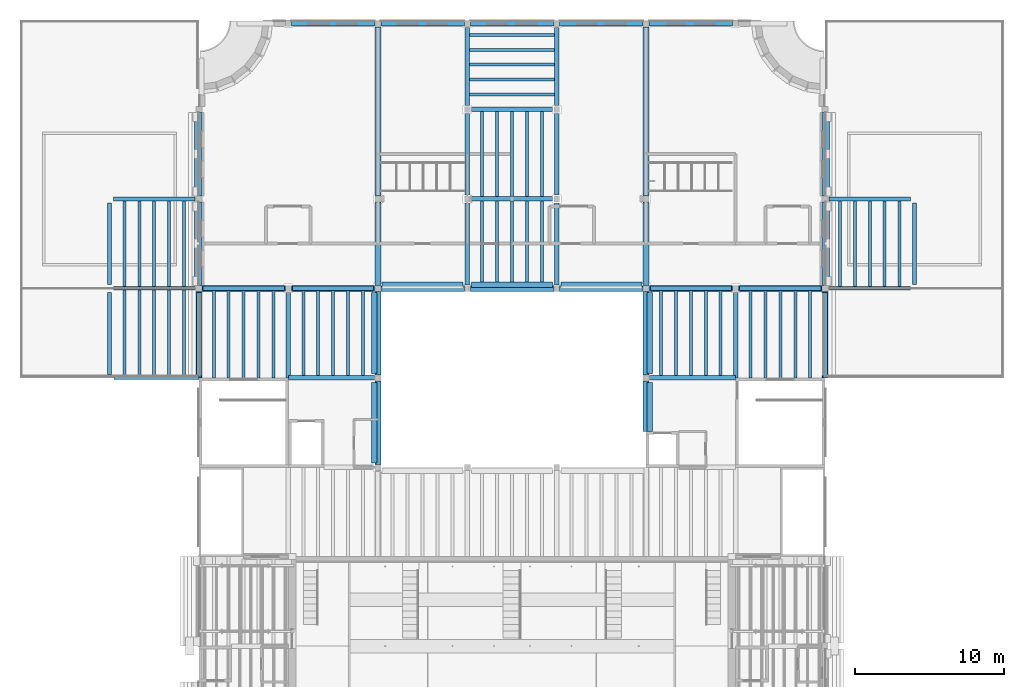
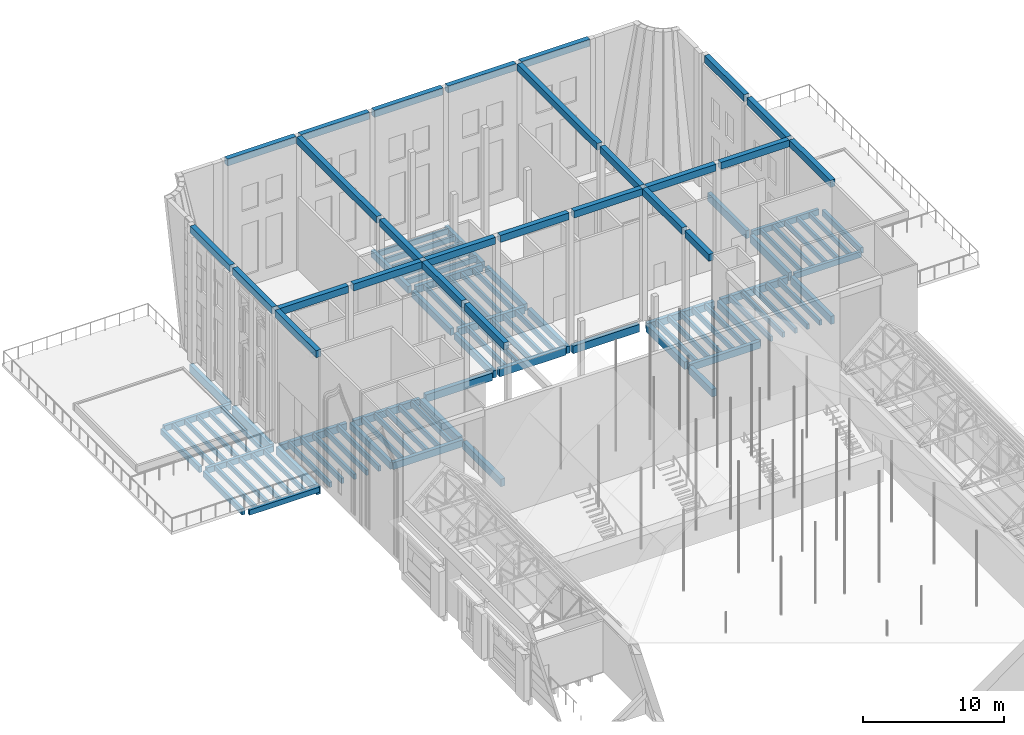
# One storey, part 47 of 118: 113 beams.
"""IFC4 building model written with IfcOpenShell, lengths in metres."""

from ifc_helpers import new_model, si_unit, direction, frame, origin, origin_2d, place, context, subcontext, project, spatial, rectangle, extrude, material, material_profile, profile_set, type_object, element, save


model = new_model("IFC4")

# Units and contexts
model_context = context("Model", 3, precision=1e-05, world=origin(), true_north=direction((0.0, 1.0)))
body_context = subcontext(model_context, "Body", "Model", "MODEL_VIEW")
ifc_project = project(units=[si_unit("LENGTHUNIT", "METRE"), si_unit("AREAUNIT", "SQUARE_METRE"), si_unit("VOLUMEUNIT", "CUBIC_METRE"), si_unit("PLANEANGLEUNIT", "RADIAN"), si_unit("MASSUNIT", "GRAM", prefix="KILO")], contexts=[model_context])

# Site, building, storey
site_placement = place(None, origin())
site = spatial("IfcSite", under=ifc_project, at=site_placement, CompositionType="ELEMENT")
building_placement = place(site_placement, origin())
building = spatial("IfcBuilding", under=site, at=building_placement, Name="Saffron Lane Theatres", CompositionType="ELEMENT")
storey_placement = place(building_placement, frame((0.0, 0.0, 16.5)))
storey = spatial("IfcBuildingStorey", under=building, at=storey_placement, Name="L03", CompositionType="ELEMENT", Elevation=16.5)

# Beams
ifc_material_1 = material(Name="Concrete N40 (40 MPa)", Category="concrete")
ifc_material_profile_1 = material_profile(ifc_material_1, rectangle(XDim=0.25, YDim=0.449951171875, at=origin_2d()))
ifc_profile_set_1 = profile_set([ifc_material_profile_1], Name="Concrete N40 (40 MPa)")
beam_type_1 = type_object("IfcBeamType", Name="RC-BEAM 250x450", PredefinedType="BEAM", material=ifc_profile_set_1)
beam_1_placement = place(storey_placement, frame((6.300048828125, 102.0, -0.47509765625), z_axis=(1.0, 0.0, 0.0), x_axis=(0.0, 1.0, 0.0)))
element("IfcBeam", 1, at=beam_1_placement, inside=storey, type_object=beam_type_1, Name="beam-roof-wing-w-x1020-63", PredefinedType="BEAM", context=body_context, shape_type="SweptSolid", body=[
    extrude(rectangle(XDim=0.25, YDim=0.449951171875, at=origin_2d()), origin(), (0.0, 0.0, 1.0), 5.699951171875),
])
ifc_material_2 = material(Name="Concrete N40 (40 MPa)", Category="concrete")
ifc_material_profile_2 = material_profile(ifc_material_2, rectangle(XDim=0.25, YDim=0.5, at=origin_2d()))
ifc_profile_set_2 = profile_set([ifc_material_profile_2], Name="Concrete N40 (40 MPa)")
beam_type_2 = type_object("IfcBeamType", Name="RC-BEAM 250x500", PredefinedType="BEAM", material=ifc_profile_set_2)
for number, where, z_axis, x_axis, name in (
    (2, (6.27490234375, 108.0, -0.5), (1.0, 0.0, 0.0), (0.0, 1.0, 0.0), "beam-roof-wing-w-x1080-63"),
    (3, (6.27490234375, 114.0, -0.5), (1.0, 0.0, 0.0), (0.0, 1.0, 0.0), "beam-roof-wing-w-x1140-63"),
):
    element("IfcBeam", number, at=place(storey_placement, frame(where, z_axis=z_axis, x_axis=x_axis)), inside=storey, type_object=beam_type_2, Name=name, PredefinedType="BEAM", context=body_context, shape_type="SweptSolid", body=[
        extrude(rectangle(XDim=0.25, YDim=0.5, at=origin_2d()), origin(), (0.0, 0.0, 1.0), 5.4501953125),
    ])
beam_2_placement = place(storey_placement, frame((6.0, 102.22509765625, -0.5), z_axis=(0.0, 1.0, 0.0), x_axis=(-1.0, 0.0, 0.0)))
element("IfcBeam", 4, at=beam_2_placement, inside=storey, type_object=beam_type_2, Name="beam-roof-wing-w-y60-1022", PredefinedType="BEAM", context=body_context, shape_type="SweptSolid", body=[
    extrude(rectangle(XDim=0.25, YDim=0.5, at=origin_2d()), origin(), (0.0, 0.0, 1.0), 5.5),
])
for number, where, z_axis, x_axis, name in (
    (5, (6.0, 108.27490234375, -0.5), (0.0, 1.0, 0.0), (-1.0, 0.0, 0.0), "beam-roof-wing-w-y60-1083"),
    (6, (54.27490234375, 108.0, -0.5), (1.0, 0.0, 0.0), (0.0, 1.0, 0.0), "beam-roof-wing-e-x1080-543"),
    (7, (54.27490234375, 114.0, -0.5), (1.0, 0.0, 0.0), (0.0, 1.0, 0.0), "beam-roof-wing-e-x1140-543"),
    (8, (60.0, 108.27490234375, -0.5), (0.0, 1.0, 0.0), (-1.0, 0.0, 0.0), "beam-roof-wing-e-y600-1083"),
):
    element("IfcBeam", number, at=place(storey_placement, frame(where, z_axis=z_axis, x_axis=x_axis)), inside=storey, type_object=beam_type_2, Name=name, PredefinedType="BEAM", context=body_context, shape_type="SweptSolid", body=[
        extrude(rectangle(XDim=0.25, YDim=0.5, at=origin_2d()), origin(), (0.0, 0.0, 1.0), 5.4501953125),
    ])
ifc_material_3 = material(Name="Concrete N40 (40 MPa)", Category="concrete")
ifc_material_profile_3 = material_profile(ifc_material_3, rectangle(XDim=0.300048828125, YDim=0.60009765625, at=origin_2d()))
ifc_profile_set_3 = profile_set([ifc_material_profile_3], Name="Concrete N40 (40 MPa)")
beam_type_3 = type_object("IfcBeamType", Name="RC-BEAM 300x600", PredefinedType="BEAM", material=ifc_profile_set_3)
for number, where, z_axis, x_axis, name in (
    (9, (18.0, 102.0, -0.550048828125), (1.0, 0.0, 0.0), (0.0, 1.0, 0.0), "beam-L03-x1020-180"),
    (10, (42.22509765625, 102.0, -0.550048828125), (1.0, 0.0, 0.0), (0.0, 1.0, 0.0), "beam-L03-x1020-422"),
):
    element("IfcBeam", number, at=place(storey_placement, frame(where, z_axis=z_axis, x_axis=x_axis)), inside=storey, type_object=beam_type_3, Name=name, PredefinedType="BEAM", context=body_context, shape_type="SweptSolid", body=[
        extrude(rectangle(XDim=0.300048828125, YDim=0.60009765625, at=origin_2d()), origin(), (0.0, 0.0, 1.0), 5.77490234375),
    ])
for number, where, z_axis, x_axis, name in (
    (11, (12.27490234375, 108.0, -0.64990234375), (1.0, 0.0, 0.0), (0.0, 1.0, 0.0), "beam-L03-x1080-123"),
    (12, (18.27490234375, 108.0, -0.64990234375), (1.0, 0.0, 0.0), (0.0, 1.0, 0.0), "beam-L03-x1080-183"),
    (13, (42.27490234375, 108.0, -0.64990234375), (1.0, 0.0, 0.0), (0.0, 1.0, 0.0), "beam-L03-x1080-423"),
    (14, (48.27490234375, 108.0, -0.64990234375), (1.0, 0.0, 0.0), (0.0, 1.0, 0.0), "beam-L03-x1080-483"),
    (15, (30.27490234375, 114.0, -0.550048828125), (1.0, 0.0, 0.0), (0.0, 1.0, 0.0), "beam-L03-x1140-303"),
    (16, (30.27490234375, 120.0, -0.550048828125), (1.0, 0.0, 0.0), (0.0, 1.0, 0.0), "beam-L03-x1200-303"),
):
    element("IfcBeam", number, at=place(storey_placement, frame(where, z_axis=z_axis, x_axis=x_axis)), inside=storey, type_object=beam_type_3, Name=name, PredefinedType="BEAM", context=body_context, shape_type="SweptSolid", body=[
        extrude(rectangle(XDim=0.300048828125, YDim=0.60009765625, at=origin_2d()), origin(), (0.0, 0.0, 1.0), 5.4501953125),
    ])
beam_3_placement = place(storey_placement, frame((18.0, 102.0, -0.550048828125), z_axis=(0.0, 1.0, 0.0), x_axis=(-1.0, 0.0, 0.0)))
element("IfcBeam", 17, at=beam_3_placement, inside=storey, type_object=beam_type_3, Name="beam-L03-y180-1020", PredefinedType="BEAM", context=body_context, shape_type="SweptSolid", body=[
    extrude(rectangle(XDim=0.300048828125, YDim=0.60009765625, at=origin_2d()), origin(), (0.0, 0.0, 1.0), 5.72509765625),
])
beam_4_placement = place(storey_placement, frame((30.0, 108.22509765625, -0.64990234375), z_axis=(0.0, 1.0, 0.0), x_axis=(-1.0, 0.0, 0.0)))
element("IfcBeam", 18, at=beam_4_placement, inside=storey, type_object=beam_type_3, Name="beam-L03-y300-1082", PredefinedType="BEAM", context=body_context, shape_type="SweptSolid", body=[
    extrude(rectangle(XDim=0.300048828125, YDim=0.60009765625, at=origin_2d()), origin(), (0.0, 0.0, 1.0), 5.5),
])
beam_5_placement = place(storey_placement, frame((30.0, 114.27490234375, -0.64990234375), z_axis=(0.0, 1.0, 0.0), x_axis=(-1.0, 0.0, 0.0)))
element("IfcBeam", 19, at=beam_5_placement, inside=storey, type_object=beam_type_3, Name="beam-L03-y300-1143", PredefinedType="BEAM", context=body_context, shape_type="SweptSolid", body=[
    extrude(rectangle(XDim=0.300048828125, YDim=0.60009765625, at=origin_2d()), origin(), (0.0, 0.0, 1.0), 5.4501953125),
])
beam_6_placement = place(storey_placement, frame((30.0, 120.27490234375, -0.64990234375), z_axis=(0.0, 1.0, 0.0), x_axis=(-1.0, 0.0, 0.0)))
element("IfcBeam", 20, at=beam_6_placement, inside=storey, type_object=beam_type_3, Name="beam-L03-y300-1203", PredefinedType="BEAM", context=body_context, shape_type="SweptSolid", body=[
    extrude(rectangle(XDim=0.300048828125, YDim=0.60009765625, at=origin_2d()), origin(), (0.0, 0.0, 1.0), 5.224609375),
])
beam_7_placement = place(storey_placement, frame((36.0, 108.22509765625, -0.64990234375), z_axis=(0.0, 1.0, 0.0), x_axis=(-1.0, 0.0, 0.0)))
element("IfcBeam", 21, at=beam_7_placement, inside=storey, type_object=beam_type_3, Name="beam-L03-y360-1082", PredefinedType="BEAM", context=body_context, shape_type="SweptSolid", body=[
    extrude(rectangle(XDim=0.300048828125, YDim=0.60009765625, at=origin_2d()), origin(), (0.0, 0.0, 1.0), 5.5),
])
beam_8_placement = place(storey_placement, frame((36.0, 114.27490234375, -0.64990234375), z_axis=(0.0, 1.0, 0.0), x_axis=(-1.0, 0.0, 0.0)))
element("IfcBeam", 22, at=beam_8_placement, inside=storey, type_object=beam_type_3, Name="beam-L03-y360-1143", PredefinedType="BEAM", context=body_context, shape_type="SweptSolid", body=[
    extrude(rectangle(XDim=0.300048828125, YDim=0.60009765625, at=origin_2d()), origin(), (0.0, 0.0, 1.0), 5.4501953125),
])
beam_9_placement = place(storey_placement, frame((36.0, 120.27490234375, -0.64990234375), z_axis=(0.0, 1.0, 0.0), x_axis=(-1.0, 0.0, 0.0)))
element("IfcBeam", 23, at=beam_9_placement, inside=storey, type_object=beam_type_3, Name="beam-L03-y360-1203", PredefinedType="BEAM", context=body_context, shape_type="SweptSolid", body=[
    extrude(rectangle(XDim=0.300048828125, YDim=0.60009765625, at=origin_2d()), origin(), (0.0, 0.0, 1.0), 5.224609375),
])
beam_10_placement = place(storey_placement, frame((48.0, 102.0, -0.550048828125), z_axis=(0.0, 1.0, 0.0), x_axis=(-1.0, 0.0, 0.0)))
element("IfcBeam", 24, at=beam_10_placement, inside=storey, type_object=beam_type_3, Name="beam-L03-y480-1020", PredefinedType="BEAM", context=body_context, shape_type="SweptSolid", body=[
    extrude(rectangle(XDim=0.300048828125, YDim=0.60009765625, at=origin_2d()), origin(), (0.0, 0.0, 1.0), 5.72509765625),
])
ifc_material_4 = material(Name="Concrete N40 (40 MPa)", Category="concrete")
ifc_material_profile_4 = material_profile(ifc_material_4, rectangle(XDim=0.300048828125, YDim=0.699951171875, at=origin_2d()))
ifc_profile_set_4 = profile_set([ifc_material_profile_4], Name="Concrete N40 (40 MPa)")
beam_type_4 = type_object("IfcBeamType", Name="RC-BEAM 300x700", PredefinedType="BEAM", material=ifc_profile_set_4)
beam_11_placement = place(storey_placement, frame((12.0, 102.0, -0.60009765625), z_axis=(0.0, 1.0, 0.0), x_axis=(-1.0, 0.0, 0.0)))
element("IfcBeam", 25, at=beam_11_placement, inside=storey, type_object=beam_type_4, Name="beam-L03-y120-1020", PredefinedType="BEAM", context=body_context, shape_type="SweptSolid", body=[
    extrude(rectangle(XDim=0.300048828125, YDim=0.699951171875, at=origin_2d()), origin(), (0.0, 0.0, 1.0), 5.72509765625),
])
for number, where, z_axis, x_axis, name in (
    (26, (11.85009765625, 108.27490234375, -0.699951171875), (0.0, 1.0, 0.0), (-1.0, 0.0, 0.0), "beam-L03-y120-1083"),
    (27, (11.85009765625, 114.27490234375, -0.699951171875), (0.0, 1.0, 0.0), (-1.0, 0.0, 0.0), "beam-L03-y120-1143"),
):
    element("IfcBeam", number, at=place(storey_placement, frame(where, z_axis=z_axis, x_axis=x_axis)), inside=storey, type_object=beam_type_4, Name=name, PredefinedType="BEAM", context=body_context, shape_type="SweptSolid", body=[
        extrude(rectangle(XDim=0.300048828125, YDim=0.699951171875, at=origin_2d()), origin(), (0.0, 0.0, 1.0), 5.4501953125),
    ])
beam_12_placement = place(storey_placement, frame((54.0, 102.0, -0.60009765625), z_axis=(0.0, 1.0, 0.0), x_axis=(-1.0, 0.0, 0.0)))
element("IfcBeam", 28, at=beam_12_placement, inside=storey, type_object=beam_type_4, Name="beam-L03-y540-1020", PredefinedType="BEAM", context=body_context, shape_type="SweptSolid", body=[
    extrude(rectangle(XDim=0.300048828125, YDim=0.699951171875, at=origin_2d()), origin(), (0.0, 0.0, 1.0), 5.72509765625),
])
for number, where, z_axis, x_axis, name in (
    (29, (54.14990234375, 108.27490234375, -0.699951171875), (0.0, 1.0, 0.0), (-1.0, 0.0, 0.0), "beam-L03-y540-1083"),
    (30, (54.14990234375, 114.27490234375, -0.699951171875), (0.0, 1.0, 0.0), (-1.0, 0.0, 0.0), "beam-L03-y540-1143"),
):
    element("IfcBeam", number, at=place(storey_placement, frame(where, z_axis=z_axis, x_axis=x_axis)), inside=storey, type_object=beam_type_4, Name=name, PredefinedType="BEAM", context=body_context, shape_type="SweptSolid", body=[
        extrude(rectangle(XDim=0.300048828125, YDim=0.699951171875, at=origin_2d()), origin(), (0.0, 0.0, 1.0), 5.4501953125),
    ])
ifc_material_5 = material(Name="Concrete N40 (40 MPa)", Category="concrete")
ifc_material_profile_5 = material_profile(ifc_material_5, rectangle(XDim=0.35009765625, YDim=0.64990234375, at=origin_2d()))
ifc_profile_set_5 = profile_set([ifc_material_profile_5], Name="Concrete N40 (40 MPa)")
beam_type_5 = type_object("IfcBeamType", Name="RC-BEAM 350x650", PredefinedType="BEAM", material=ifc_profile_set_5)
beam_13_placement = place(storey_placement, frame((24.27490234375, 108.235107421875, -0.675048828125), z_axis=(1.0, 0.0, 0.0), x_axis=(0.0, 1.0, 0.0)))
element("IfcBeam", 31, at=beam_13_placement, inside=storey, type_object=beam_type_5, Name="beam-L03-x1080-243", PredefinedType="BEAM", context=body_context, shape_type="SweptSolid", body=[
    extrude(rectangle(XDim=0.35009765625, YDim=0.64990234375, at=origin_2d()), origin(), (0.0, 0.0, 1.0), 5.425048828125),
])
beam_14_placement = place(storey_placement, frame((30.300048828125, 108.235107421875, -0.574951171875), z_axis=(1.0, 0.0, 0.0), x_axis=(0.0, 1.0, 0.0)))
element("IfcBeam", 32, at=beam_14_placement, inside=storey, type_object=beam_type_5, Name="beam-L03-x1080-303", PredefinedType="BEAM", context=body_context, shape_type="SweptSolid", body=[
    extrude(rectangle(XDim=0.35009765625, YDim=0.64990234375, at=origin_2d()), origin(), (0.0, 0.0, 1.0), 5.39990234375),
])
for number, where, z_axis, x_axis, name in (
    (33, (36.300048828125, 108.235107421875, -0.675048828125), (1.0, 0.0, 0.0), (0.0, 1.0, 0.0), "beam-L03-x1080-363"),
    (34, (23.764892578125, 96.27490234375, -0.574951171875), (0.0, 1.0, 0.0), (-1.0, 0.0, 0.0), "beam-L03-y240-963"),
    (35, (23.764892578125, 102.300048828125, -0.574951171875), (0.0, 1.0, 0.0), (-1.0, 0.0, 0.0), "beam-L03-y240-1023"),
):
    element("IfcBeam", number, at=place(storey_placement, frame(where, z_axis=z_axis, x_axis=x_axis)), inside=storey, type_object=beam_type_5, Name=name, PredefinedType="BEAM", context=body_context, shape_type="SweptSolid", body=[
        extrude(rectangle(XDim=0.35009765625, YDim=0.64990234375, at=origin_2d()), origin(), (0.0, 0.0, 1.0), 5.425048828125),
    ])
beam_15_placement = place(storey_placement, frame((42.235107421875, 98.39990234375, -0.574951171875), z_axis=(0.0, 1.0, 0.0), x_axis=(-1.0, 0.0, 0.0)))
element("IfcBeam", 36, at=beam_15_placement, inside=storey, type_object=beam_type_5, Name="beam-L03-y420-984", PredefinedType="BEAM", context=body_context, shape_type="SweptSolid", body=[
    extrude(rectangle(XDim=0.35009765625, YDim=0.64990234375, at=origin_2d()), origin(), (0.0, 0.0, 1.0), 3.300048828125),
])
beam_16_placement = place(storey_placement, frame((42.235107421875, 102.300048828125, -0.574951171875), z_axis=(0.0, 1.0, 0.0), x_axis=(-1.0, 0.0, 0.0)))
element("IfcBeam", 37, at=beam_16_placement, inside=storey, type_object=beam_type_5, Name="beam-L03-y420-1023", PredefinedType="BEAM", context=body_context, shape_type="SweptSolid", body=[
    extrude(rectangle(XDim=0.35009765625, YDim=0.64990234375, at=origin_2d()), origin(), (0.0, 0.0, 1.0), 5.425048828125),
])
ifc_material_6 = material(Name="Concrete N40 (40 MPa)", Category="concrete")
ifc_material_profile_6 = material_profile(ifc_material_6, rectangle(XDim=0.39990234375, YDim=0.60009765625, at=origin_2d()))
ifc_profile_set_6 = profile_set([ifc_material_profile_6], Name="Concrete N40 (40 MPa)")
beam_type_6 = type_object("IfcBeamType", Name="RC-BEAM 400x600", PredefinedType="BEAM", material=ifc_profile_set_6)
for number, where, z_axis, x_axis, name in (
    (38, (12.199951171875, 108.0, 11.199951171875), (1.0, 0.0, 0.0), (0.0, 1.0, 0.0), "beam-roof-brick-x1080-3"),
    (39, (18.199951171875, 108.0, 11.199951171875), (1.0, 0.0, 0.0), (0.0, 1.0, 0.0), "beam-roof-brick-x1080-4"),
    (40, (24.199951171875, 108.0, 11.199951171875), (1.0, 0.0, 0.0), (0.0, 1.0, 0.0), "beam-roof-brick-x1080-5"),
    (41, (30.199951171875, 108.0, 11.199951171875), (1.0, 0.0, 0.0), (0.0, 1.0, 0.0), "beam-roof-brick-x1080-6"),
    (42, (36.199951171875, 108.0, 11.199951171875), (1.0, 0.0, 0.0), (0.0, 1.0, 0.0), "beam-roof-brick-x1080-7"),
    (43, (42.199951171875, 108.0, 11.199951171875), (1.0, 0.0, 0.0), (0.0, 1.0, 0.0), "beam-roof-brick-x1080-8"),
    (44, (48.199951171875, 108.0, 11.199951171875), (1.0, 0.0, 0.0), (0.0, 1.0, 0.0), "beam-roof-brick-x1080-9"),
    (45, (18.199951171875, 125.799560546875, 11.199951171875), (1.0, 0.0, 0.0), (0.0, 1.0, 0.0), "beam-roof-brick-x1260-10"),
    (46, (24.199951171875, 125.799560546875, 11.199951171875), (1.0, 0.0, 0.0), (0.0, 1.0, 0.0), "beam-roof-brick-x1260-11"),
    (47, (30.199951171875, 125.799560546875, 11.199951171875), (1.0, 0.0, 0.0), (0.0, 1.0, 0.0), "beam-roof-brick-x1260-12"),
    (48, (36.199951171875, 125.799560546875, 11.199951171875), (1.0, 0.0, 0.0), (0.0, 1.0, 0.0), "beam-roof-brick-x1260-13"),
    (49, (42.199951171875, 125.799560546875, 11.199951171875), (1.0, 0.0, 0.0), (0.0, 1.0, 0.0), "beam-roof-brick-x1260-14"),
):
    element("IfcBeam", number, at=place(storey_placement, frame(where, z_axis=z_axis, x_axis=x_axis)), inside=storey, type_object=beam_type_6, Name=name, PredefinedType="BEAM", context=body_context, shape_type="SweptSolid", body=[
        extrude(rectangle(XDim=0.39990234375, YDim=0.60009765625, at=origin_2d()), origin(), (0.0, 0.0, 1.0), 5.60009765625),
    ])
beam_17_placement = place(storey_placement, frame((12.0, 102.0, 11.199951171875), z_axis=(0.0, 1.0, 0.0), x_axis=(-1.0, 0.0, 0.0)))
element("IfcBeam", 50, at=beam_17_placement, inside=storey, type_object=beam_type_6, Name="beam-roof-brick-y120-15", PredefinedType="BEAM", context=body_context, shape_type="SweptSolid", body=[
    extrude(rectangle(XDim=0.39990234375, YDim=0.60009765625, at=origin_2d()), origin(), (0.0, 0.0, 1.0), 5.800048828125),
])
for number, where, z_axis, x_axis, name in (
    (51, (12.0, 108.199951171875, 11.199951171875), (0.0, 1.0, 0.0), (-1.0, 0.0, 0.0), "beam-roof-brick-y120-16"),
    (52, (12.0, 114.199951171875, 11.199951171875), (0.0, 1.0, 0.0), (-1.0, 0.0, 0.0), "beam-roof-brick-y120-17"),
    (53, (24.0, 96.199951171875, 11.199951171875), (0.0, 1.0, 0.0), (-1.0, 0.0, 0.0), "beam-roof-brick-y240-19"),
    (54, (24.0, 102.199951171875, 11.199951171875), (0.0, 1.0, 0.0), (-1.0, 0.0, 0.0), "beam-roof-brick-y240-20"),
    (55, (24.0, 108.199951171875, 11.199951171875), (0.0, 1.0, 0.0), (-1.0, 0.0, 0.0), "beam-roof-brick-y240-21"),
):
    element("IfcBeam", number, at=place(storey_placement, frame(where, z_axis=z_axis, x_axis=x_axis)), inside=storey, type_object=beam_type_6, Name=name, PredefinedType="BEAM", context=body_context, shape_type="SweptSolid", body=[
        extrude(rectangle(XDim=0.39990234375, YDim=0.60009765625, at=origin_2d()), origin(), (0.0, 0.0, 1.0), 5.60009765625),
    ])
beam_18_placement = place(storey_placement, frame((24.0, 114.199951171875, 11.199951171875), z_axis=(0.0, 1.0, 0.0), x_axis=(-1.0, 0.0, 0.0)))
element("IfcBeam", 56, at=beam_18_placement, inside=storey, type_object=beam_type_6, Name="beam-roof-brick-y240-22", PredefinedType="BEAM", context=body_context, shape_type="SweptSolid", body=[
    extrude(rectangle(XDim=0.39990234375, YDim=0.60009765625, at=origin_2d()), origin(), (0.0, 0.0, 1.0), 11.324462890625),
])
beam_19_placement = place(storey_placement, frame((42.0, 98.39990234375, 11.199951171875), z_axis=(0.0, 1.0, 0.0), x_axis=(-1.0, 0.0, 0.0)))
element("IfcBeam", 57, at=beam_19_placement, inside=storey, type_object=beam_type_6, Name="beam-roof-brick-y420-24", PredefinedType="BEAM", context=body_context, shape_type="SweptSolid", body=[
    extrude(rectangle(XDim=0.39990234375, YDim=0.60009765625, at=origin_2d()), origin(), (0.0, 0.0, 1.0), 3.400146484375),
])
for number, where, z_axis, x_axis, name in (
    (58, (42.0, 102.199951171875, 11.199951171875), (0.0, 1.0, 0.0), (-1.0, 0.0, 0.0), "beam-roof-brick-y420-25"),
    (59, (42.0, 108.199951171875, 11.199951171875), (0.0, 1.0, 0.0), (-1.0, 0.0, 0.0), "beam-roof-brick-y420-26"),
):
    element("IfcBeam", number, at=place(storey_placement, frame(where, z_axis=z_axis, x_axis=x_axis)), inside=storey, type_object=beam_type_6, Name=name, PredefinedType="BEAM", context=body_context, shape_type="SweptSolid", body=[
        extrude(rectangle(XDim=0.39990234375, YDim=0.60009765625, at=origin_2d()), origin(), (0.0, 0.0, 1.0), 5.60009765625),
    ])
beam_20_placement = place(storey_placement, frame((42.0, 114.199951171875, 11.199951171875), z_axis=(0.0, 1.0, 0.0), x_axis=(-1.0, 0.0, 0.0)))
element("IfcBeam", 60, at=beam_20_placement, inside=storey, type_object=beam_type_6, Name="beam-roof-brick-y420-27", PredefinedType="BEAM", context=body_context, shape_type="SweptSolid", body=[
    extrude(rectangle(XDim=0.39990234375, YDim=0.60009765625, at=origin_2d()), origin(), (0.0, 0.0, 1.0), 11.324462890625),
])
beam_21_placement = place(storey_placement, frame((54.0, 102.0, 11.199951171875), z_axis=(0.0, 1.0, 0.0), x_axis=(-1.0, 0.0, 0.0)))
element("IfcBeam", 61, at=beam_21_placement, inside=storey, type_object=beam_type_6, Name="beam-roof-brick-y540-28", PredefinedType="BEAM", context=body_context, shape_type="SweptSolid", body=[
    extrude(rectangle(XDim=0.39990234375, YDim=0.60009765625, at=origin_2d()), origin(), (0.0, 0.0, 1.0), 5.800048828125),
])
for number, where, z_axis, x_axis, name in (
    (62, (54.0, 108.199951171875, 11.199951171875), (0.0, 1.0, 0.0), (-1.0, 0.0, 0.0), "beam-roof-brick-y540-29"),
    (63, (54.0, 114.199951171875, 11.199951171875), (0.0, 1.0, 0.0), (-1.0, 0.0, 0.0), "beam-roof-brick-y540-30"),
):
    element("IfcBeam", number, at=place(storey_placement, frame(where, z_axis=z_axis, x_axis=x_axis)), inside=storey, type_object=beam_type_6, Name=name, PredefinedType="BEAM", context=body_context, shape_type="SweptSolid", body=[
        extrude(rectangle(XDim=0.39990234375, YDim=0.60009765625, at=origin_2d()), origin(), (0.0, 0.0, 1.0), 5.60009765625),
    ])
ifc_material_7 = material(Name="Concrete N40 (40 MPa)", Category="concrete")
ifc_material_profile_7 = material_profile(ifc_material_7, rectangle(XDim=0.199951171875, YDim=0.39990234375, at=origin_2d()))
ifc_profile_set_7 = profile_set([ifc_material_profile_7], Name="Concrete N40 (40 MPa)")
beam_type_7 = type_object("IfcBeamType", Name="RC-JOIST 200x400", PredefinedType="JOIST", material=ifc_profile_set_7)
for number, where, z_axis, x_axis, name in (
    (64, (7.0, 102.125, -0.449951171875), (0.0, 1.0, 0.0), (-1.0, 0.0, 0.0), "joist-roof-wing-w-y700-1021"),
    (65, (8.0, 102.125, -0.449951171875), (0.0, 1.0, 0.0), (-1.0, 0.0, 0.0), "joist-roof-wing-w-y800-1021"),
    (66, (9.0, 102.125, -0.449951171875), (0.0, 1.0, 0.0), (-1.0, 0.0, 0.0), "joist-roof-wing-w-y900-1021"),
    (67, (10.0, 102.125, -0.449951171875), (0.0, 1.0, 0.0), (-1.0, 0.0, 0.0), "joist-roof-wing-w-y1000-1021"),
    (68, (11.0, 102.125, -0.449951171875), (0.0, 1.0, 0.0), (-1.0, 0.0, 0.0), "joist-roof-wing-w-y1100-1021"),
    (69, (7.0, 108.125, -0.449951171875), (0.0, 1.0, 0.0), (-1.0, 0.0, 0.0), "joist-roof-wing-w-y700-1081"),
    (70, (8.0, 108.125, -0.449951171875), (0.0, 1.0, 0.0), (-1.0, 0.0, 0.0), "joist-roof-wing-w-y800-1081"),
    (71, (9.0, 108.125, -0.449951171875), (0.0, 1.0, 0.0), (-1.0, 0.0, 0.0), "joist-roof-wing-w-y900-1081"),
    (72, (10.0, 108.125, -0.449951171875), (0.0, 1.0, 0.0), (-1.0, 0.0, 0.0), "joist-roof-wing-w-y1000-1081"),
    (73, (11.0, 108.125, -0.449951171875), (0.0, 1.0, 0.0), (-1.0, 0.0, 0.0), "joist-roof-wing-w-y1100-1081"),
    (74, (55.0, 108.125, -0.449951171875), (0.0, 1.0, 0.0), (-1.0, 0.0, 0.0), "joist-roof-wing-e-y5500-1081"),
    (75, (56.0, 108.125, -0.449951171875), (0.0, 1.0, 0.0), (-1.0, 0.0, 0.0), "joist-roof-wing-e-y5600-1081"),
    (76, (57.0, 108.125, -0.449951171875), (0.0, 1.0, 0.0), (-1.0, 0.0, 0.0), "joist-roof-wing-e-y5700-1081"),
    (77, (58.0, 108.125, -0.449951171875), (0.0, 1.0, 0.0), (-1.0, 0.0, 0.0), "joist-roof-wing-e-y5800-1081"),
    (78, (59.0, 108.125, -0.449951171875), (0.0, 1.0, 0.0), (-1.0, 0.0, 0.0), "joist-roof-wing-e-y5900-1081"),
):
    element("IfcBeam", number, at=place(storey_placement, frame(where, z_axis=z_axis, x_axis=x_axis)), inside=storey, type_object=beam_type_7, Name=name, PredefinedType="JOIST", context=body_context, shape_type="SweptSolid", body=[
        extrude(rectangle(XDim=0.199951171875, YDim=0.39990234375, at=origin_2d()), origin(), (0.0, 0.0, 1.0), 5.75),
    ])
ifc_material_8 = material(Name="Concrete N40 (40 MPa)", Category="concrete")
ifc_material_profile_8 = material_profile(ifc_material_8, rectangle(XDim=0.199951171875, YDim=0.449951171875, at=origin_2d()))
ifc_profile_set_8 = profile_set([ifc_material_profile_8], Name="Concrete N40 (40 MPa)")
beam_type_8 = type_object("IfcBeamType", Name="RC-JOIST 200x450", PredefinedType="JOIST", material=ifc_profile_set_8)
for number, where, z_axis, x_axis, name in (
    (79, (13.0, 102.0, -0.47509765625), (0.0, 1.0, 0.0), (-1.0, 0.0, 0.0), "joist-L03-y1300-1020"),
    (80, (14.0, 102.0, -0.47509765625), (0.0, 1.0, 0.0), (-1.0, 0.0, 0.0), "joist-L03-y1400-1020"),
    (81, (15.0, 102.0, -0.47509765625), (0.0, 1.0, 0.0), (-1.0, 0.0, 0.0), "joist-L03-y1500-1020"),
    (82, (16.0, 102.0, -0.47509765625), (0.0, 1.0, 0.0), (-1.0, 0.0, 0.0), "joist-L03-y1600-1020"),
    (83, (17.0, 102.0, -0.47509765625), (0.0, 1.0, 0.0), (-1.0, 0.0, 0.0), "joist-L03-y1700-1020"),
):
    element("IfcBeam", number, at=place(storey_placement, frame(where, z_axis=z_axis, x_axis=x_axis)), inside=storey, type_object=beam_type_8, Name=name, PredefinedType="JOIST", context=body_context, shape_type="SweptSolid", body=[
        extrude(rectangle(XDim=0.199951171875, YDim=0.449951171875, at=origin_2d()), origin(), (0.0, 0.0, 1.0), 5.85009765625),
    ])
for number, where, z_axis, x_axis, name in (
    (84, (19.0, 102.14990234375, -0.47509765625), (0.0, 1.0, 0.0), (-1.0, 0.0, 0.0), "joist-L03-y1900-1022"),
    (85, (20.0, 102.14990234375, -0.47509765625), (0.0, 1.0, 0.0), (-1.0, 0.0, 0.0), "joist-L03-y2000-1022"),
    (86, (21.0, 102.14990234375, -0.47509765625), (0.0, 1.0, 0.0), (-1.0, 0.0, 0.0), "joist-L03-y2100-1022"),
    (87, (22.0, 102.14990234375, -0.47509765625), (0.0, 1.0, 0.0), (-1.0, 0.0, 0.0), "joist-L03-y2200-1022"),
    (88, (23.0, 102.14990234375, -0.47509765625), (0.0, 1.0, 0.0), (-1.0, 0.0, 0.0), "joist-L03-y2300-1022"),
):
    element("IfcBeam", number, at=place(storey_placement, frame(where, z_axis=z_axis, x_axis=x_axis)), inside=storey, type_object=beam_type_8, Name=name, PredefinedType="JOIST", context=body_context, shape_type="SweptSolid", body=[
        extrude(rectangle(XDim=0.199951171875, YDim=0.449951171875, at=origin_2d()), origin(), (0.0, 0.0, 1.0), 5.7001953125),
    ])
for number, where, z_axis, x_axis, name in (
    (89, (31.0, 108.409912109375, -0.47509765625), (0.0, 1.0, 0.0), (-1.0, 0.0, 0.0), "joist-L03-y3100-1084"),
    (90, (32.0, 108.409912109375, -0.47509765625), (0.0, 1.0, 0.0), (-1.0, 0.0, 0.0), "joist-L03-y3200-1084"),
    (91, (33.0, 108.409912109375, -0.47509765625), (0.0, 1.0, 0.0), (-1.0, 0.0, 0.0), "joist-L03-y3300-1084"),
    (92, (34.0, 108.409912109375, -0.47509765625), (0.0, 1.0, 0.0), (-1.0, 0.0, 0.0), "joist-L03-y3400-1084"),
    (93, (35.0, 108.409912109375, -0.47509765625), (0.0, 1.0, 0.0), (-1.0, 0.0, 0.0), "joist-L03-y3500-1084"),
):
    element("IfcBeam", number, at=place(storey_placement, frame(where, z_axis=z_axis, x_axis=x_axis)), inside=storey, type_object=beam_type_8, Name=name, PredefinedType="JOIST", context=body_context, shape_type="SweptSolid", body=[
        extrude(rectangle(XDim=0.199951171875, YDim=0.449951171875, at=origin_2d()), origin(), (0.0, 0.0, 1.0), 5.440185546875),
    ])
for number, where, z_axis, x_axis, name in (
    (94, (31.0, 114.14990234375, -0.47509765625), (0.0, 1.0, 0.0), (-1.0, 0.0, 0.0), "joist-L03-y3100-1142"),
    (95, (32.0, 114.14990234375, -0.47509765625), (0.0, 1.0, 0.0), (-1.0, 0.0, 0.0), "joist-L03-y3200-1142"),
    (96, (33.0, 114.14990234375, -0.47509765625), (0.0, 1.0, 0.0), (-1.0, 0.0, 0.0), "joist-L03-y3300-1142"),
    (97, (34.0, 114.14990234375, -0.47509765625), (0.0, 1.0, 0.0), (-1.0, 0.0, 0.0), "joist-L03-y3400-1142"),
    (98, (35.0, 114.14990234375, -0.47509765625), (0.0, 1.0, 0.0), (-1.0, 0.0, 0.0), "joist-L03-y3500-1142"),
    (99, (30.14990234375, 121.0, -0.47509765625), (1.0, 0.0, 0.0), (0.0, 1.0, 0.0), "joist-L03-x12100-302"),
    (100, (30.14990234375, 122.0, -0.47509765625), (1.0, 0.0, 0.0), (0.0, 1.0, 0.0), "joist-L03-x12200-302"),
    (101, (30.14990234375, 123.0, -0.47509765625), (1.0, 0.0, 0.0), (0.0, 1.0, 0.0), "joist-L03-x12300-302"),
    (102, (30.14990234375, 124.0, -0.47509765625), (1.0, 0.0, 0.0), (0.0, 1.0, 0.0), "joist-L03-x12400-302"),
    (103, (30.14990234375, 125.0, -0.47509765625), (1.0, 0.0, 0.0), (0.0, 1.0, 0.0), "joist-L03-x12500-302"),
    (104, (43.0, 102.14990234375, -0.47509765625), (0.0, 1.0, 0.0), (-1.0, 0.0, 0.0), "joist-L03-y4300-1022"),
    (105, (44.0, 102.14990234375, -0.47509765625), (0.0, 1.0, 0.0), (-1.0, 0.0, 0.0), "joist-L03-y4400-1022"),
    (106, (45.0, 102.14990234375, -0.47509765625), (0.0, 1.0, 0.0), (-1.0, 0.0, 0.0), "joist-L03-y4500-1022"),
    (107, (46.0, 102.14990234375, -0.47509765625), (0.0, 1.0, 0.0), (-1.0, 0.0, 0.0), "joist-L03-y4600-1022"),
    (108, (47.0, 102.14990234375, -0.47509765625), (0.0, 1.0, 0.0), (-1.0, 0.0, 0.0), "joist-L03-y4700-1022"),
):
    element("IfcBeam", number, at=place(storey_placement, frame(where, z_axis=z_axis, x_axis=x_axis)), inside=storey, type_object=beam_type_8, Name=name, PredefinedType="JOIST", context=body_context, shape_type="SweptSolid", body=[
        extrude(rectangle(XDim=0.199951171875, YDim=0.449951171875, at=origin_2d()), origin(), (0.0, 0.0, 1.0), 5.7001953125),
    ])
for number, where, z_axis, x_axis, name in (
    (109, (49.0, 102.0, -0.47509765625), (0.0, 1.0, 0.0), (-1.0, 0.0, 0.0), "joist-L03-y4900-1020"),
    (110, (50.0, 102.0, -0.47509765625), (0.0, 1.0, 0.0), (-1.0, 0.0, 0.0), "joist-L03-y5000-1020"),
    (111, (51.0, 102.0, -0.47509765625), (0.0, 1.0, 0.0), (-1.0, 0.0, 0.0), "joist-L03-y5100-1020"),
    (112, (52.0, 102.0, -0.47509765625), (0.0, 1.0, 0.0), (-1.0, 0.0, 0.0), "joist-L03-y5200-1020"),
    (113, (53.0, 102.0, -0.47509765625), (0.0, 1.0, 0.0), (-1.0, 0.0, 0.0), "joist-L03-y5300-1020"),
):
    element("IfcBeam", number, at=place(storey_placement, frame(where, z_axis=z_axis, x_axis=x_axis)), inside=storey, type_object=beam_type_8, Name=name, PredefinedType="JOIST", context=body_context, shape_type="SweptSolid", body=[
        extrude(rectangle(XDim=0.199951171875, YDim=0.449951171875, at=origin_2d()), origin(), (0.0, 0.0, 1.0), 5.85009765625),
    ])

save(model, "model.ifc")
